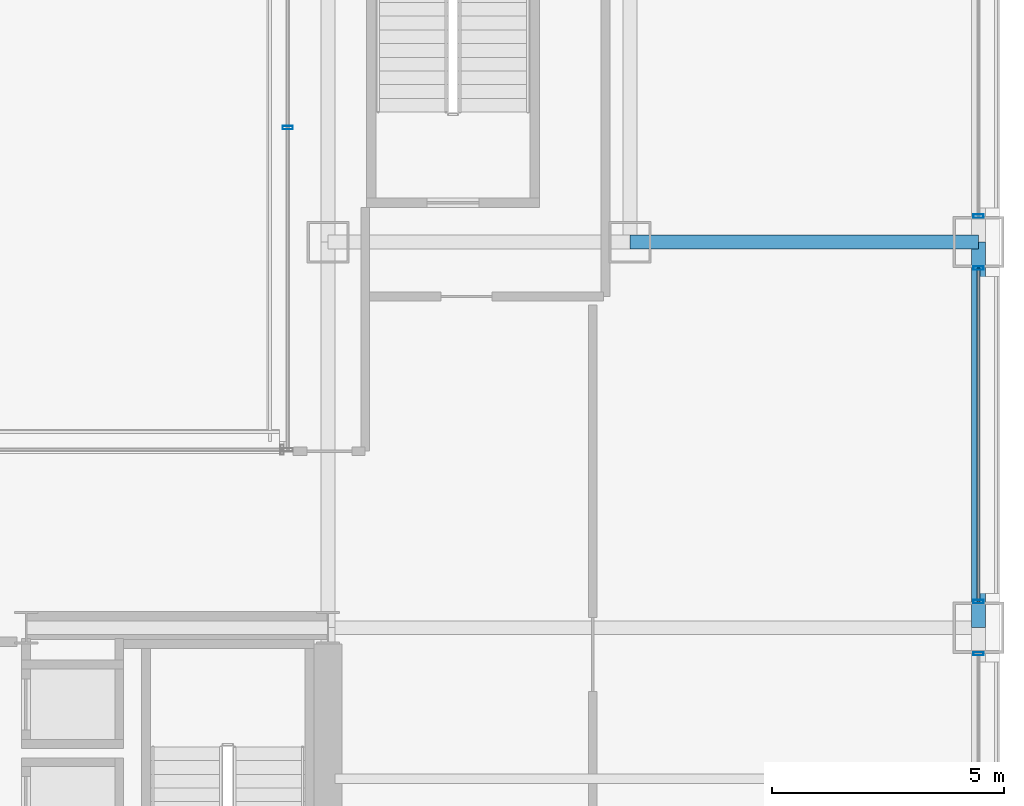
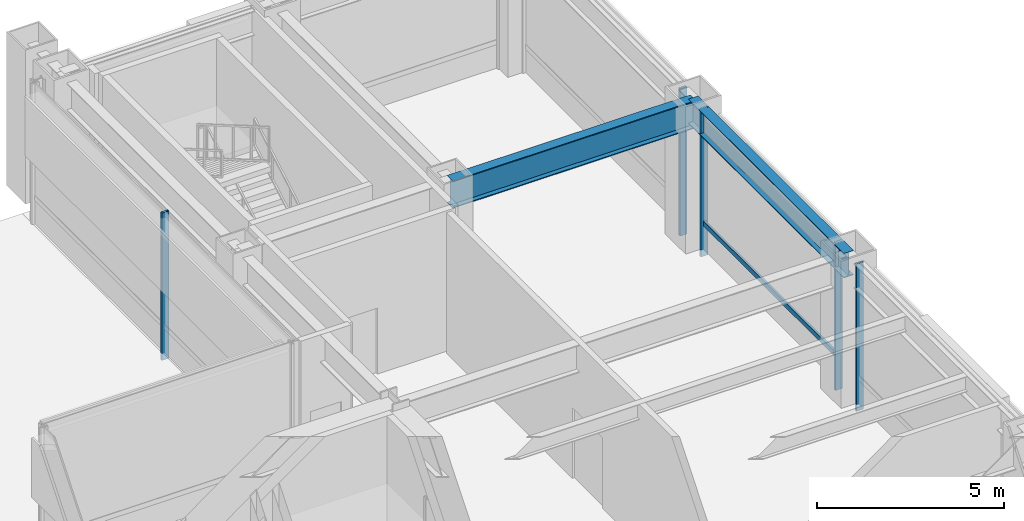
# One storey, part 19 of 37: 6 members, 2 beams, 4 elements without a shape of their own.
"""IFC4 building model written with IfcOpenShell, lengths in metres."""

import ifcopenshell
import ifcopenshell.guid

model = None  # the IFC model being written
_history = None  # IfcOwnerHistory: only IFC2X3 demands one
_inside = {}  # id of a spatial element -> (the spatial element, [elements in it])
_under = {}  # id of a project, library or spatial element -> (it, [spatial elements below it])
_declared = {}  # id of a project -> (the project, [libraries it declares])
_typed = {}  # id of a type object -> (the type object, [elements of that type])
_made_of = {}  # id of a material, layer set ... -> (it, [elements and type objects made of it])


def new_model(schema):
    """Start an empty IFC model of exactly this schema.

    Asked for "IFC4X3", IfcOpenShell would pick the latest addendum, in which some entities
    have other attributes; the version numbers below select the first issue.
    IFC2X3 requires an IfcOwnerHistory on every rooted entity: one is made here for all.
    """
    global model, _history
    if schema == "IFC4X3":
        model = ifcopenshell.file(schema_version=(4, 3, 0, 0))
    else:
        model = ifcopenshell.file(schema=schema)
    _inside.clear()
    _under.clear()
    _declared.clear()
    _typed.clear()
    _made_of.clear()
    _history = None
    if model.schema == "IFC2X3":
        org = make("IfcOrganization", Name="unknown")
        user = make(
            "IfcPersonAndOrganization",
            ThePerson=make("IfcPerson", FamilyName="unknown"),
            TheOrganization=org,
        )
        app = make(
            "IfcApplication",
            ApplicationDeveloper=org,
            Version="unknown",
            ApplicationFullName="unknown",
            ApplicationIdentifier="unknown",
        )
        _history = make(
            "IfcOwnerHistory",
            OwningUser=user,
            OwningApplication=app,
            ChangeAction="ADDED",
            CreationDate=0,
        )
    return model


def make(cls, **values):
    """One entity of the class cls with the attributes given. An attribute that is None is left unset."""
    return model.create_entity(
        cls, **{name: value for name, value in values.items() if value is not None}
    )


def rooted(cls, **values):
    """An entity with a GlobalId (a new one), such as an element, a storey or a relation."""
    return make(cls, GlobalId=ifcopenshell.guid.new(), OwnerHistory=_history, **values)


def si_unit(unit_type, name, prefix=None):
    """IfcSIUnit, for example si_unit("LENGTHUNIT", "METRE", prefix="MILLI")."""
    return make("IfcSIUnit", UnitType=unit_type, Prefix=prefix, Name=name)


def assignment(units):
    """IfcUnitAssignment: the units of a project."""
    return None if units is None else make("IfcUnitAssignment", Units=units)


def point(xyz):
    """IfcCartesianPoint."""
    return None if xyz is None else make("IfcCartesianPoint", Coordinates=xyz)


def direction(xyz):
    """IfcDirection."""
    return None if xyz is None else make("IfcDirection", DirectionRatios=xyz)


def frame(location, z_axis=None, x_axis=None):
    """IfcAxis2Placement3D, a coordinate frame: its origin and axes. An axis left out is left unset."""
    return make(
        "IfcAxis2Placement3D",
        Location=point(location),
        Axis=direction(z_axis),
        RefDirection=direction(x_axis),
    )


def frame_2d(location, x_axis=None):
    """IfcAxis2Placement2D, a coordinate frame in the plane: its origin and x axis."""
    return make(
        "IfcAxis2Placement2D", Location=point(location), RefDirection=direction(x_axis)
    )


def origin():
    """The frame at (0, 0, 0) with its axes left unset."""
    return frame((0.0, 0.0, 0.0))


def origin_2d():
    """The frame at (0, 0) in the plane with its x axis left unset."""
    return frame_2d((0.0, 0.0))


def place(relative_to, where):
    """IfcLocalPlacement: puts the frame where relative to a parent placement (None: the world)."""
    return make(
        "IfcLocalPlacement", PlacementRelTo=relative_to, RelativePlacement=where
    )


def context(
    kind, dimensions, precision=None, world=None, true_north=None, identifier=None
):
    """IfcGeometricRepresentationContext, for example the 3D "Model" context."""
    return make(
        "IfcGeometricRepresentationContext",
        ContextIdentifier=identifier,
        ContextType=kind,
        CoordinateSpaceDimension=dimensions,
        Precision=precision,
        WorldCoordinateSystem=world,
        TrueNorth=true_north,
    )


def subcontext(parent, identifier, kind, view, scale=None):
    """IfcGeometricRepresentationSubContext, for example "Body" below "Model"."""
    return make(
        "IfcGeometricRepresentationSubContext",
        ContextIdentifier=identifier,
        ContextType=kind,
        ParentContext=parent,
        TargetScale=scale,
        TargetView=view,
    )


def project(units=None, contexts=None):
    """IfcProject with its units and contexts."""
    return rooted(
        "IfcProject",
        Name="project",
        RepresentationContexts=contexts,
        UnitsInContext=assignment(units),
    )


def spatial(cls, under=None, at=None, **own):
    """A site, building, storey or space (cls), placed at a placement, below another one or the project."""
    s = rooted(cls, ObjectPlacement=at, **own)
    if under is not None:
        _under.setdefault(under.id(), (under, []))[1].append(s)
    return s


def profile(cls, at=None, kind="AREA", **sizes):
    """A parametric profile (cls). Its sizes go by their IFC names, for example OverallWidth=200.0."""
    return make(cls, ProfileType=kind, Position=at, **sizes)


def hollow_rectangle(**sizes):
    """IfcRectangleHollowProfileDef."""
    return profile("IfcRectangleHollowProfileDef", **sizes)


def i_section(**sizes):
    """IfcIShapeProfileDef."""
    return profile("IfcIShapeProfileDef", **sizes)


def extrude(swept, where, along, depth):
    """IfcExtrudedAreaSolid: the profile swept, set in the frame where, extruded along a direction by depth."""
    return make(
        "IfcExtrudedAreaSolid",
        SweptArea=swept,
        Position=where,
        ExtrudedDirection=direction(along),
        Depth=depth,
    )


def shape(context_of_items, identifier, shape_type, items):
    """IfcShapeRepresentation: the items that make up one representation, for example the "Body"."""
    return make(
        "IfcShapeRepresentation",
        ContextOfItems=context_of_items,
        RepresentationIdentifier=identifier,
        RepresentationType=shape_type,
        Items=items,
    )


def material(Name=None, Category=None):
    """IfcMaterial."""
    return make("IfcMaterial", Name=Name, Category=Category)


def layer(
    of_material, thickness, ventilated=None, Name=None, Category=None, Priority=None
):
    """IfcMaterialLayer: one layer of a wall or slab, of a material (None: an air gap)."""
    return make(
        "IfcMaterialLayer",
        Material=of_material,
        LayerThickness=thickness,
        IsVentilated=ventilated,
        Name=Name,
        Category=Category,
        Priority=Priority,
    )


def layer_set(layers, Name=None):
    """IfcMaterialLayerSet."""
    return make("IfcMaterialLayerSet", MaterialLayers=layers, LayerSetName=Name)


def material_profile(
    of_material, cross_section, Name=None, Category=None, Priority=None
):
    """IfcMaterialProfile: a cross section and its material."""
    return make(
        "IfcMaterialProfile",
        Name=Name,
        Material=of_material,
        Profile=cross_section,
        Priority=Priority,
        Category=Category,
    )


def profile_set(profiles, Name=None, composite=None):
    """IfcMaterialProfileSet."""
    return make(
        "IfcMaterialProfileSet",
        Name=Name,
        MaterialProfiles=profiles,
        CompositeProfile=composite,
    )


def made_of(thing, what):
    """Note that an element or type object is made of a material, layer set ...; save() writes the relation."""
    if what is not None:
        _made_of.setdefault(what.id(), (what, []))[1].append(thing)
    return thing


def type_object(cls, material=None, **own):
    """A type object (cls), such as IfcWallType, which elements share."""
    return made_of(rooted(cls, **own), material)


def element(
    cls,
    number,
    at=None,
    inside=None,
    cuts=None,
    type_object=None,
    material=None,
    context=None,
    identifier="Body",
    shape_type=None,
    held_by="IfcProductDefinitionShape",
    body=None,
    shapes=None,
    **own,
):
    """One element of the class cls, such as IfcWall. Its Tag is "e" and its number.

    at: its placement. inside: the storey or other place that contains it. cuts: it is an
    opening in that element (IfcRelVoidsElement). A single representation is given by context,
    identifier, shape_type and body (its items); several are given by shapes. held_by: the class
    of the entity that holds the representations. save() writes the other relations.
    """
    e = rooted(cls, Tag="e%d" % number, ObjectPlacement=at, **own)
    if body is not None:
        shapes = [shape(context, identifier, shape_type, body)]
    if shapes is not None:
        e.Representation = make(held_by, Representations=shapes)
    if inside is not None:
        _inside.setdefault(inside.id(), (inside, []))[1].append(e)
    if cuts is not None:
        rooted(
            "IfcRelVoidsElement", RelatingBuildingElement=cuts, RelatedOpeningElement=e
        )
    if type_object is not None:
        _typed.setdefault(type_object.id(), (type_object, []))[1].append(e)
    return made_of(e, material)


def aggregate(whole, parts):
    """IfcRelAggregates: a whole, such as a stair, and the parts it consists of."""
    return rooted("IfcRelAggregates", RelatingObject=whole, RelatedObjects=parts)


def save(model, path):
    """Write the relations noted so far, then the file.

    IfcRelAggregates (storeys below a building ...), IfcRelContainedInSpatialStructure (elements
    in a storey), IfcRelDefinesByType, IfcRelAssociatesMaterial and IfcRelDeclares: one each for
    every whole, place, type object, material and project.
    """
    for whole, parts in _under.values():
        aggregate(whole, parts)
    for where, things in _inside.values():
        rooted(
            "IfcRelContainedInSpatialStructure",
            RelatedElements=things,
            RelatingStructure=where,
        )
    for kind, things in _typed.values():
        rooted("IfcRelDefinesByType", RelatedObjects=things, RelatingType=kind)
    for what, things in _made_of.values():
        rooted("IfcRelAssociatesMaterial", RelatedObjects=things, RelatingMaterial=what)
    for by, libraries in _declared.values():
        rooted("IfcRelDeclares", RelatingContext=by, RelatedDefinitions=libraries)
    model.write(path)


model = new_model("IFC4")

# Units and contexts
model_context = context("Model", 3, precision=1e-05, world=origin(), true_north=direction((0.0, 1.0)))
body_context = subcontext(model_context, "Body", "Model", "MODEL_VIEW")
ifc_project = project(units=[si_unit("LENGTHUNIT", "METRE"), si_unit("AREAUNIT", "SQUARE_METRE"), si_unit("VOLUMEUNIT", "CUBIC_METRE"), si_unit("PLANEANGLEUNIT", "RADIAN"), si_unit("MASSUNIT", "GRAM", prefix="KILO")], contexts=[model_context])

# Site, building, storey
site_placement = place(None, origin())
site = spatial("IfcSite", under=ifc_project, at=site_placement, CompositionType="ELEMENT")
building_placement = place(site_placement, origin())
building = spatial("IfcBuilding", under=site, at=building_placement, Name="Brelmoor Portico Tower", CompositionType="ELEMENT")
storey_placement = place(building_placement, origin())
storey = spatial("IfcBuildingStorey", under=building, at=storey_placement, Name="L00", CompositionType="ELEMENT", Elevation=0.0)

# Beams
ifc_material_1 = material(Name="Steel Q355B", Category="steel")
ifc_material_profile_1 = material_profile(ifc_material_1, i_section(OverallWidth=0.300048828125, OverallDepth=0.89990234375, WebThickness=0.01611328125, FlangeThickness=0.028076171875, at=origin_2d()), Name="HN 900x300x16x28")
ifc_profile_set_1 = profile_set([ifc_material_profile_1], Name="Steel Q355B")
beam_type_1 = type_object("IfcBeamType", Name="BM-PG-900", PredefinedType="BEAM", material=ifc_profile_set_1)
beam_1_placement = place(storey_placement, frame((21.050048828125, 18.050048828125, 4.1298828125), z_axis=(1.0, 0.0, 0.0), x_axis=(0.0, 1.0, 0.0)))
element("IfcBeam", 1, at=beam_1_placement, inside=storey, type_object=beam_type_1, Name="L00 Primary Floor Girder PG-37", PredefinedType="BEAM", context=body_context, shape_type="SweptSolid", body=[
    extrude(i_section(OverallWidth=0.300048828125, OverallDepth=0.89990234375, WebThickness=0.01611328125, FlangeThickness=0.028076171875, at=origin_2d()), origin(), (0.0, 0.0, 1.0), 7.5),
])
ifc_material_profile_2 = material_profile(ifc_material_1, i_section(OverallWidth=0.300048828125, OverallDepth=0.800048828125, WebThickness=0.013916015625, FlangeThickness=0.02587890625, at=origin_2d()), Name="HN 800x300x14x26")
ifc_profile_set_2 = profile_set([ifc_material_profile_2], Name="Steel Q355B")
beam_type_2 = type_object("IfcBeamType", Name="BM-SP-800", PredefinedType="SPANDREL", material=ifc_profile_set_2)
beam_2_placement = place(storey_placement, frame((28.550048828125, 9.75, 4.179931640625), z_axis=(0.0, 1.0, 0.0), x_axis=(-1.0, 0.0, 0.0)))
element("IfcBeam", 2, at=beam_2_placement, inside=storey, type_object=beam_type_2, Name="L00 Perimeter Spandrel Beam SP-19", PredefinedType="SPANDREL", context=body_context, shape_type="SweptSolid", body=[
    extrude(i_section(OverallWidth=0.300048828125, OverallDepth=0.800048828125, WebThickness=0.013916015625, FlangeThickness=0.02587890625, at=origin_2d()), origin(), (0.0, 0.0, 1.0), 8.300048828125),
])

# Curtain wall, member
ifc_material_2 = material(Name="Anodised Aluminium Alloy 6063-T6", Category="aluminium")
ifc_layer = layer(ifc_material_2, 0.179931640625)
ifc_layer_set = layer_set([ifc_layer], Name="Anodised Aluminium Alloy 6063-T6")
curtain_wall_type = type_object("IfcCurtainWallType", Name="CW-PODIUM-ARCH", PredefinedType="NOTDEFINED", material=ifc_layer_set)
curtain_wall_1_placement = place(storey_placement, origin())
curtain_wall_1 = element("IfcCurtainWall", 3, at=curtain_wall_1_placement, inside=storey, type_object=curtain_wall_type, Name="L00 Curtain Wall CW-L00-06-4", PredefinedType="NOTDEFINED")
ifc_material_profile_3 = material_profile(ifc_material_2, hollow_rectangle(XDim=0.074951171875, YDim=0.219970703125, WallThickness=0.0048828125, at=origin_2d()), Name="ALU MULLION 75x220")
ifc_profile_set_3 = profile_set([ifc_material_profile_3], Name="Anodised Aluminium Alloy 6063-T6")
member_type_1 = type_object("IfcMemberType", Name="MB-CW-MULL-220", PredefinedType="MULLION", material=ifc_profile_set_3)
member_1_placement = place(storey_placement, frame((28.550048828125, 9.18994140625, -0.219970703125), z_axis=(0.0, 0.0, 1.0), x_axis=(0.0, 1.0, 0.0)))
member_1 = element("IfcMember", 4, at=member_1_placement, type_object=member_type_1, Name="CW-L00-06-4 Mullion 01", PredefinedType="MULLION", context=body_context, shape_type="SweptSolid", body=[
    extrude(hollow_rectangle(XDim=0.074951171875, YDim=0.219970703125, WallThickness=0.0048828125, at=origin_2d()), origin(), (0.0, 0.0, 1.0), 4.800048828125),
])
aggregate(curtain_wall_1, [member_1])

# Curtain wall, members
curtain_wall_2_placement = place(storey_placement, origin())
curtain_wall_2 = element("IfcCurtainWall", 5, at=curtain_wall_2_placement, inside=storey, type_object=curtain_wall_type, Name="L00 Curtain Wall CW-L00-06-5", PredefinedType="NOTDEFINED")
member_2_placement = place(storey_placement, frame((28.550048828125, 10.31005859375, -0.219970703125), z_axis=(0.0, 0.0, 1.0), x_axis=(0.0, 1.0, 0.0)))
member_2 = element("IfcMember", 6, at=member_2_placement, type_object=member_type_1, Name="CW-L00-06-5 Mullion 00", PredefinedType="MULLION", context=body_context, shape_type="SweptSolid", body=[
    extrude(hollow_rectangle(XDim=0.074951171875, YDim=0.219970703125, WallThickness=0.0048828125, at=origin_2d()), origin(), (0.0, 0.0, 1.0), 4.800048828125),
])
member_3_placement = place(storey_placement, frame((28.550048828125, 17.489990234375, -0.219970703125), z_axis=(0.0, 0.0, 1.0), x_axis=(0.0, 1.0, 0.0)))
member_3 = element("IfcMember", 7, at=member_3_placement, type_object=member_type_1, Name="CW-L00-06-5 Mullion 01", PredefinedType="MULLION", context=body_context, shape_type="SweptSolid", body=[
    extrude(hollow_rectangle(XDim=0.074951171875, YDim=0.219970703125, WallThickness=0.0048828125, at=origin_2d()), origin(), (0.0, 0.0, 1.0), 4.800048828125),
])

# Curtain wall, member
curtain_wall_3_placement = place(storey_placement, origin())
curtain_wall_3 = element("IfcCurtainWall", 8, at=curtain_wall_3_placement, inside=storey, type_object=curtain_wall_type, Name="L00 Curtain Wall CW-L00-06-6", PredefinedType="NOTDEFINED")
member_4_placement = place(storey_placement, frame((28.550048828125, 18.610107421875, -0.219970703125), z_axis=(0.0, 0.0, 1.0), x_axis=(0.0, 1.0, 0.0)))
member_4 = element("IfcMember", 9, at=member_4_placement, type_object=member_type_1, Name="CW-L00-06-6 Mullion 00", PredefinedType="MULLION", context=body_context, shape_type="SweptSolid", body=[
    extrude(hollow_rectangle(XDim=0.074951171875, YDim=0.219970703125, WallThickness=0.0048828125, at=origin_2d()), origin(), (0.0, 0.0, 1.0), 4.800048828125),
])
aggregate(curtain_wall_3, [member_4])

curtain_wall_4_placement = place(storey_placement, origin())
curtain_wall_4 = element("IfcCurtainWall", 10, at=curtain_wall_4_placement, inside=storey, type_object=curtain_wall_type, Name="L00 Curtain Wall CW-L00-10", PredefinedType="NOTDEFINED")
member_5_placement = place(storey_placement, frame((13.679931640625, 20.514892578125, -0.219970703125), z_axis=(0.0, 0.0, 1.0), x_axis=(0.0, 1.0, 0.0)))
member_5 = element("IfcMember", 11, at=member_5_placement, type_object=member_type_1, Name="CW-L00-10 Mullion 01", PredefinedType="MULLION", context=body_context, shape_type="SweptSolid", body=[
    extrude(hollow_rectangle(XDim=0.074951171875, YDim=0.219970703125, WallThickness=0.0048828125, at=origin_2d()), origin(), (0.0, 0.0, 1.0), 4.800048828125),
])
aggregate(curtain_wall_4, [member_5])

# Member
ifc_material_profile_4 = material_profile(ifc_material_2, hollow_rectangle(XDim=0.070068359375, YDim=0.159912109375, WallThickness=0.00390625, at=origin_2d()), Name="ALU TRANSOM 70x160")
ifc_profile_set_4 = profile_set([ifc_material_profile_4], Name="Anodised Aluminium Alloy 6063-T6")
member_type_2 = type_object("IfcMemberType", Name="MB-CW-TRAN-160", PredefinedType="USERDEFINED", material=ifc_profile_set_4)
member_6_placement = place(storey_placement, frame((28.550048828125, 10.31005859375, 0.85009765625), z_axis=(0.0, 1.0, 0.0), x_axis=(-1.0, 0.0, 0.0)))
member_6 = element("IfcMember", 12, at=member_6_placement, type_object=member_type_2, Name="CW-L00-06-5 Transom 1-00", ObjectType="TRANSOM", PredefinedType="USERDEFINED", context=body_context, shape_type="SweptSolid", body=[
    extrude(hollow_rectangle(XDim=0.070068359375, YDim=0.159912109375, WallThickness=0.00390625, at=origin_2d()), origin(), (0.0, 0.0, 1.0), 7.179931640625),
])

aggregate(curtain_wall_2, [member_2, member_3, member_6])

save(model, "model.ifc")
